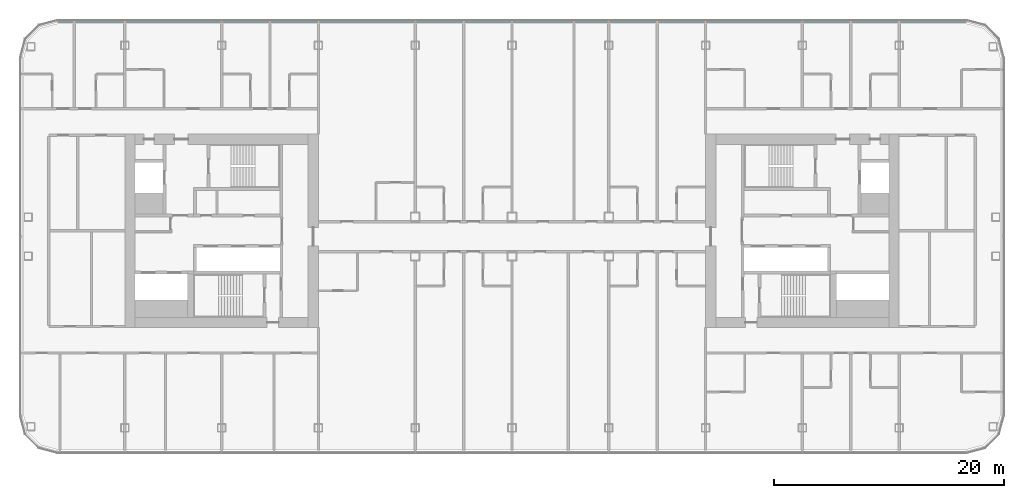
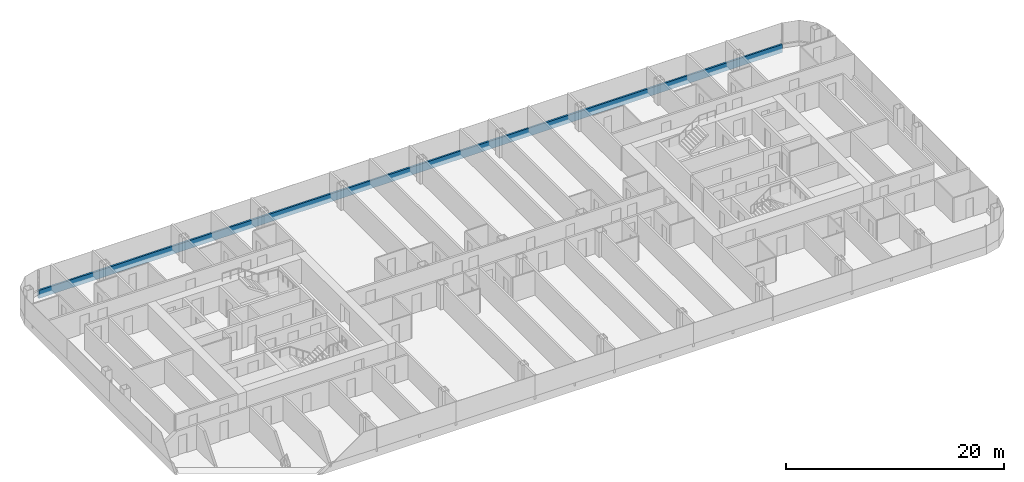
# One storey, part 7 of 26: 1 member, 1 element without a shape of its own.
"""IFC4 building model written with IfcOpenShell, lengths in metres."""

import ifcopenshell
import ifcopenshell.guid

model = None  # the IFC model being written
_history = None  # IfcOwnerHistory: only IFC2X3 demands one
_inside = {}  # id of a spatial element -> (the spatial element, [elements in it])
_under = {}  # id of a project, library or spatial element -> (it, [spatial elements below it])
_declared = {}  # id of a project -> (the project, [libraries it declares])
_typed = {}  # id of a type object -> (the type object, [elements of that type])
_made_of = {}  # id of a material, layer set ... -> (it, [elements and type objects made of it])


def new_model(schema):
    """Start an empty IFC model of exactly this schema.

    Asked for "IFC4X3", IfcOpenShell would pick the latest addendum, in which some entities
    have other attributes; the version numbers below select the first issue.
    IFC2X3 requires an IfcOwnerHistory on every rooted entity: one is made here for all.
    """
    global model, _history
    if schema == "IFC4X3":
        model = ifcopenshell.file(schema_version=(4, 3, 0, 0))
    else:
        model = ifcopenshell.file(schema=schema)
    _inside.clear()
    _under.clear()
    _declared.clear()
    _typed.clear()
    _made_of.clear()
    _history = None
    if model.schema == "IFC2X3":
        org = make("IfcOrganization", Name="unknown")
        user = make(
            "IfcPersonAndOrganization",
            ThePerson=make("IfcPerson", FamilyName="unknown"),
            TheOrganization=org,
        )
        app = make(
            "IfcApplication",
            ApplicationDeveloper=org,
            Version="unknown",
            ApplicationFullName="unknown",
            ApplicationIdentifier="unknown",
        )
        _history = make(
            "IfcOwnerHistory",
            OwningUser=user,
            OwningApplication=app,
            ChangeAction="ADDED",
            CreationDate=0,
        )
    return model


def make(cls, **values):
    """One entity of the class cls with the attributes given. An attribute that is None is left unset."""
    return model.create_entity(
        cls, **{name: value for name, value in values.items() if value is not None}
    )


def rooted(cls, **values):
    """An entity with a GlobalId (a new one), such as an element, a storey or a relation."""
    return make(cls, GlobalId=ifcopenshell.guid.new(), OwnerHistory=_history, **values)


def si_unit(unit_type, name, prefix=None):
    """IfcSIUnit, for example si_unit("LENGTHUNIT", "METRE", prefix="MILLI")."""
    return make("IfcSIUnit", UnitType=unit_type, Prefix=prefix, Name=name)


def assignment(units):
    """IfcUnitAssignment: the units of a project."""
    return None if units is None else make("IfcUnitAssignment", Units=units)


def point(xyz):
    """IfcCartesianPoint."""
    return None if xyz is None else make("IfcCartesianPoint", Coordinates=xyz)


def direction(xyz):
    """IfcDirection."""
    return None if xyz is None else make("IfcDirection", DirectionRatios=xyz)


def frame(location, z_axis=None, x_axis=None):
    """IfcAxis2Placement3D, a coordinate frame: its origin and axes. An axis left out is left unset."""
    return make(
        "IfcAxis2Placement3D",
        Location=point(location),
        Axis=direction(z_axis),
        RefDirection=direction(x_axis),
    )


def frame_2d(location, x_axis=None):
    """IfcAxis2Placement2D, a coordinate frame in the plane: its origin and x axis."""
    return make(
        "IfcAxis2Placement2D", Location=point(location), RefDirection=direction(x_axis)
    )


def origin():
    """The frame at (0, 0, 0) with its axes left unset."""
    return frame((0.0, 0.0, 0.0))


def origin_2d():
    """The frame at (0, 0) in the plane with its x axis left unset."""
    return frame_2d((0.0, 0.0))


def place(relative_to, where):
    """IfcLocalPlacement: puts the frame where relative to a parent placement (None: the world)."""
    return make(
        "IfcLocalPlacement", PlacementRelTo=relative_to, RelativePlacement=where
    )


def context(
    kind, dimensions, precision=None, world=None, true_north=None, identifier=None
):
    """IfcGeometricRepresentationContext, for example the 3D "Model" context."""
    return make(
        "IfcGeometricRepresentationContext",
        ContextIdentifier=identifier,
        ContextType=kind,
        CoordinateSpaceDimension=dimensions,
        Precision=precision,
        WorldCoordinateSystem=world,
        TrueNorth=true_north,
    )


def subcontext(parent, identifier, kind, view, scale=None):
    """IfcGeometricRepresentationSubContext, for example "Body" below "Model"."""
    return make(
        "IfcGeometricRepresentationSubContext",
        ContextIdentifier=identifier,
        ContextType=kind,
        ParentContext=parent,
        TargetScale=scale,
        TargetView=view,
    )


def project(units=None, contexts=None):
    """IfcProject with its units and contexts."""
    return rooted(
        "IfcProject",
        Name="project",
        RepresentationContexts=contexts,
        UnitsInContext=assignment(units),
    )


def spatial(cls, under=None, at=None, **own):
    """A site, building, storey or space (cls), placed at a placement, below another one or the project."""
    s = rooted(cls, ObjectPlacement=at, **own)
    if under is not None:
        _under.setdefault(under.id(), (under, []))[1].append(s)
    return s


def profile(cls, at=None, kind="AREA", **sizes):
    """A parametric profile (cls). Its sizes go by their IFC names, for example OverallWidth=200.0."""
    return make(cls, ProfileType=kind, Position=at, **sizes)


def rectangle(**sizes):
    """IfcRectangleProfileDef."""
    return profile("IfcRectangleProfileDef", **sizes)


def extrude(swept, where, along, depth):
    """IfcExtrudedAreaSolid: the profile swept, set in the frame where, extruded along a direction by depth."""
    return make(
        "IfcExtrudedAreaSolid",
        SweptArea=swept,
        Position=where,
        ExtrudedDirection=direction(along),
        Depth=depth,
    )


def shape(context_of_items, identifier, shape_type, items):
    """IfcShapeRepresentation: the items that make up one representation, for example the "Body"."""
    return make(
        "IfcShapeRepresentation",
        ContextOfItems=context_of_items,
        RepresentationIdentifier=identifier,
        RepresentationType=shape_type,
        Items=items,
    )


def material(Name=None, Category=None):
    """IfcMaterial."""
    return make("IfcMaterial", Name=Name, Category=Category)


def layer(
    of_material, thickness, ventilated=None, Name=None, Category=None, Priority=None
):
    """IfcMaterialLayer: one layer of a wall or slab, of a material (None: an air gap)."""
    return make(
        "IfcMaterialLayer",
        Material=of_material,
        LayerThickness=thickness,
        IsVentilated=ventilated,
        Name=Name,
        Category=Category,
        Priority=Priority,
    )


def layer_set(layers, Name=None):
    """IfcMaterialLayerSet."""
    return make("IfcMaterialLayerSet", MaterialLayers=layers, LayerSetName=Name)


def material_profile(
    of_material, cross_section, Name=None, Category=None, Priority=None
):
    """IfcMaterialProfile: a cross section and its material."""
    return make(
        "IfcMaterialProfile",
        Name=Name,
        Material=of_material,
        Profile=cross_section,
        Priority=Priority,
        Category=Category,
    )


def profile_set(profiles, Name=None, composite=None):
    """IfcMaterialProfileSet."""
    return make(
        "IfcMaterialProfileSet",
        Name=Name,
        MaterialProfiles=profiles,
        CompositeProfile=composite,
    )


def made_of(thing, what):
    """Note that an element or type object is made of a material, layer set ...; save() writes the relation."""
    if what is not None:
        _made_of.setdefault(what.id(), (what, []))[1].append(thing)
    return thing


def type_object(cls, material=None, **own):
    """A type object (cls), such as IfcWallType, which elements share."""
    return made_of(rooted(cls, **own), material)


def element(
    cls,
    number,
    at=None,
    inside=None,
    cuts=None,
    type_object=None,
    material=None,
    context=None,
    identifier="Body",
    shape_type=None,
    held_by="IfcProductDefinitionShape",
    body=None,
    shapes=None,
    **own,
):
    """One element of the class cls, such as IfcWall. Its Tag is "e" and its number.

    at: its placement. inside: the storey or other place that contains it. cuts: it is an
    opening in that element (IfcRelVoidsElement). A single representation is given by context,
    identifier, shape_type and body (its items); several are given by shapes. held_by: the class
    of the entity that holds the representations. save() writes the other relations.
    """
    e = rooted(cls, Tag="e%d" % number, ObjectPlacement=at, **own)
    if body is not None:
        shapes = [shape(context, identifier, shape_type, body)]
    if shapes is not None:
        e.Representation = make(held_by, Representations=shapes)
    if inside is not None:
        _inside.setdefault(inside.id(), (inside, []))[1].append(e)
    if cuts is not None:
        rooted(
            "IfcRelVoidsElement", RelatingBuildingElement=cuts, RelatedOpeningElement=e
        )
    if type_object is not None:
        _typed.setdefault(type_object.id(), (type_object, []))[1].append(e)
    return made_of(e, material)


def aggregate(whole, parts):
    """IfcRelAggregates: a whole, such as a stair, and the parts it consists of."""
    return rooted("IfcRelAggregates", RelatingObject=whole, RelatedObjects=parts)


def save(model, path):
    """Write the relations noted so far, then the file.

    IfcRelAggregates (storeys below a building ...), IfcRelContainedInSpatialStructure (elements
    in a storey), IfcRelDefinesByType, IfcRelAssociatesMaterial and IfcRelDeclares: one each for
    every whole, place, type object, material and project.
    """
    for whole, parts in _under.values():
        aggregate(whole, parts)
    for where, things in _inside.values():
        rooted(
            "IfcRelContainedInSpatialStructure",
            RelatedElements=things,
            RelatingStructure=where,
        )
    for kind, things in _typed.values():
        rooted("IfcRelDefinesByType", RelatedObjects=things, RelatingType=kind)
    for what, things in _made_of.values():
        rooted("IfcRelAssociatesMaterial", RelatedObjects=things, RelatingMaterial=what)
    for by, libraries in _declared.values():
        rooted("IfcRelDeclares", RelatingContext=by, RelatedDefinitions=libraries)
    model.write(path)


model = new_model("IFC4")

# Units and contexts
model_context = context("Model", 3, precision=1e-05, world=origin(), true_north=direction((0.0, 1.0)))
body_context = subcontext(model_context, "Body", "Model", "MODEL_VIEW")
ifc_project = project(units=[si_unit("LENGTHUNIT", "METRE"), si_unit("AREAUNIT", "SQUARE_METRE"), si_unit("VOLUMEUNIT", "CUBIC_METRE"), si_unit("PLANEANGLEUNIT", "RADIAN"), si_unit("MASSUNIT", "GRAM", prefix="KILO")], contexts=[model_context])

# Site, building, storey
site_placement = place(None, origin())
site = spatial("IfcSite", under=ifc_project, at=site_placement, CompositionType="ELEMENT")
building_placement = place(site_placement, origin())
building = spatial("IfcBuilding", under=site, at=building_placement, Name="Hakoniwa Tower and Hamabe Station Hall", CompositionType="ELEMENT")
storey_placement = place(building_placement, frame((0.0, 0.0, 169.39990234375)))
storey = spatial("IfcBuildingStorey", under=building, at=storey_placement, Name="L48", CompositionType="ELEMENT", Elevation=169.39990234375)

# Curtain wall, member
ifc_material_1 = material(Name="Dark low-e laminated glass", Category="glass")
ifc_layer = layer(ifc_material_1, 0.199951171875)
ifc_layer_set = layer_set([ifc_layer], Name="CW-1 UNITISED GUEST")
curtain_wall_type = type_object("IfcCurtainWallType", Name="CW-1 UNITISED GUEST", PredefinedType="NOTDEFINED", material=ifc_layer_set)
curtain_wall_placement = place(storey_placement, origin())
curtain_wall = element("IfcCurtainWall", 1, at=curtain_wall_placement, inside=storey, type_object=curtain_wall_type, Name="CW-1 curtain wall", PredefinedType="NOTDEFINED")
ifc_material_2 = material(Name="Aluminium 6063-T5 black anodised", Category="aluminium")
ifc_material_profile = material_profile(ifc_material_2, rectangle(XDim=0.199951171875, YDim=0.89990234375, at=origin_2d()), Name="CW SLAB-EDGE BAND 900X200")
ifc_profile_set = profile_set([ifc_material_profile], Name="Aluminium 6063-T5 black anodised")
member_type = type_object("IfcMemberType", Name="CW SLAB-EDGE BAND 900X200", PredefinedType="USERDEFINED", material=ifc_profile_set)
member_placement = place(storey_placement, frame((39.439453125, 18.199951171875, -0.099853515625), z_axis=(-1.0, 0.0, 0.0), x_axis=(0.0, -1.0, 0.0)))
member = element("IfcMember", 2, at=member_placement, type_object=member_type, Name="CW-1 transom", ObjectType="TRANSOM", PredefinedType="USERDEFINED", context=body_context, shape_type="SweptSolid", body=[
    extrude(rectangle(XDim=0.199951171875, YDim=0.89990234375, at=origin_2d()), origin(), (0.0, 0.0, 1.0), 78.87890625),
])
aggregate(curtain_wall, [member])

save(model, "model.ifc")
